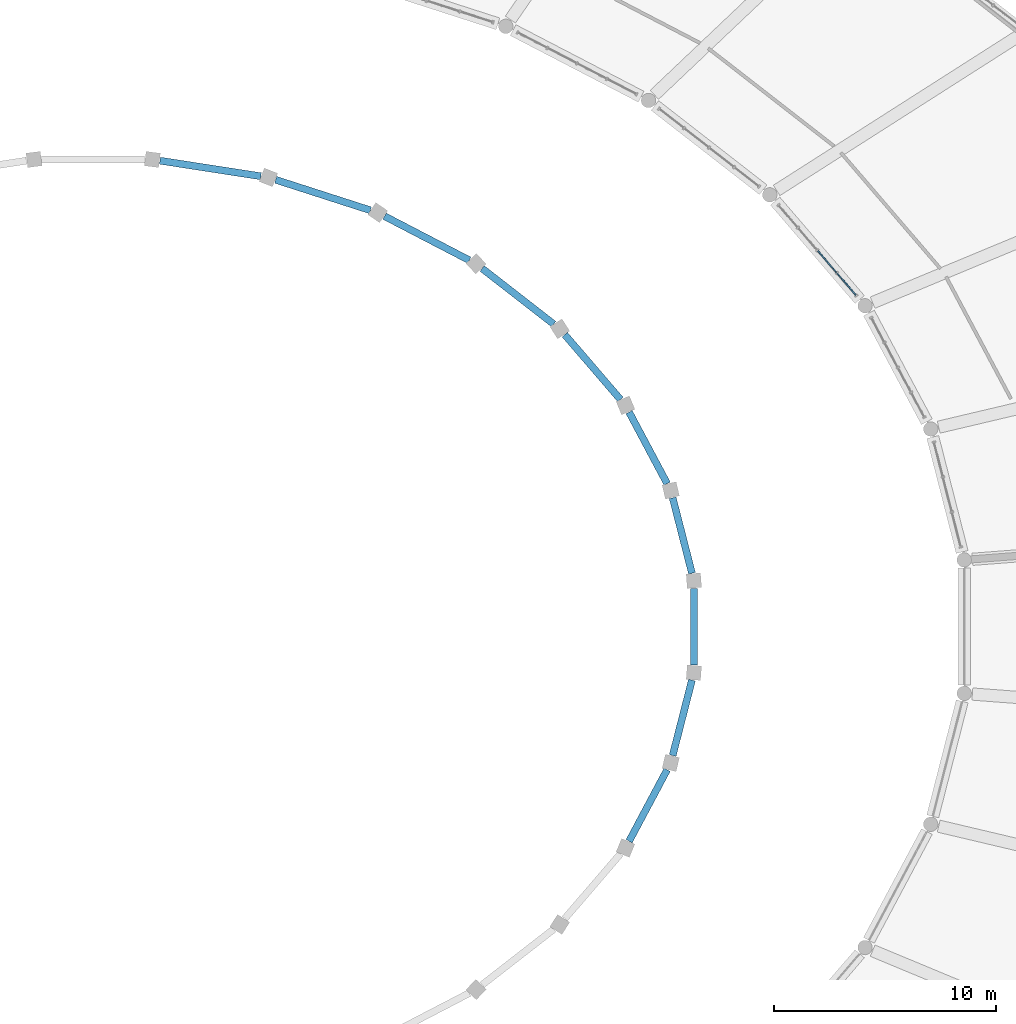
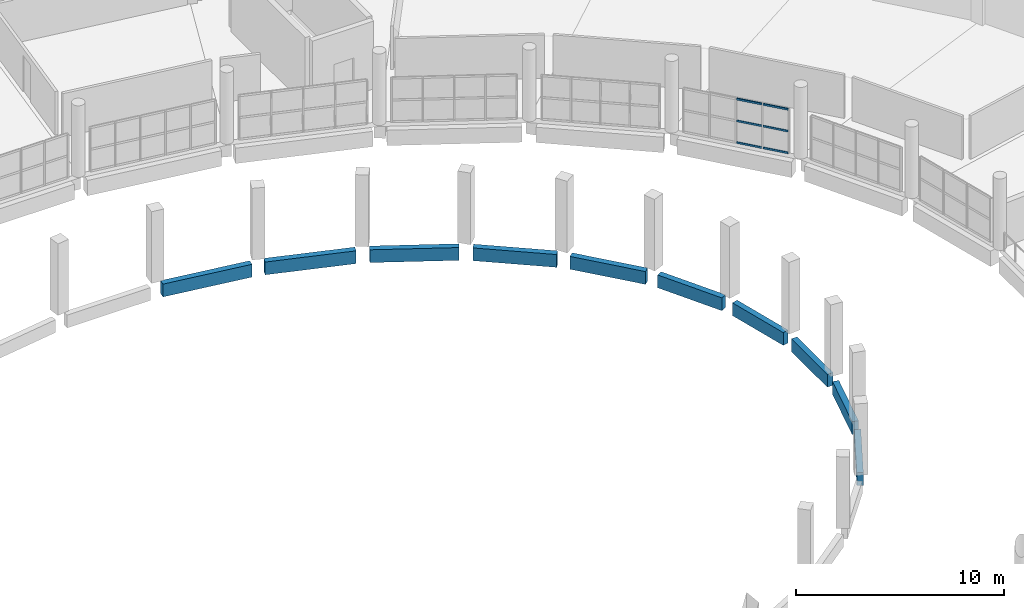
# One storey, part 20 of 142: 10 beams, 6 members, 1 element without a shape of its own.
"""IFC4 building model written with IfcOpenShell, lengths in metres."""

from ifc_helpers import new_model, si_unit, direction, frame, origin, origin_2d, place, context, subcontext, project, spatial, rectangle, extrude, material, layer, layer_set, material_profile, profile_set, type_object, element, aggregate, save


model = new_model("IFC4")

# Units and contexts
model_context = context("Model", 3, precision=1e-05, world=origin(), true_north=direction((0.0, 1.0)))
body_context = subcontext(model_context, "Body", "Model", "MODEL_VIEW")
ifc_project = project(units=[si_unit("LENGTHUNIT", "METRE"), si_unit("AREAUNIT", "SQUARE_METRE"), si_unit("VOLUMEUNIT", "CUBIC_METRE"), si_unit("PLANEANGLEUNIT", "RADIAN"), si_unit("MASSUNIT", "GRAM", prefix="KILO")], contexts=[model_context])

# Site, building, storey
site_placement = place(None, origin())
site = spatial("IfcSite", under=ifc_project, at=site_placement, CompositionType="ELEMENT")
building_placement = place(site_placement, origin())
building = spatial("IfcBuilding", under=site, at=building_placement, Name="Corvandel Quay Wholesale Market", CompositionType="ELEMENT")
storey_placement = place(building_placement, frame((0.0, 0.0, 10.800048828125)))
storey = spatial("IfcBuildingStorey", under=building, at=storey_placement, Name="L02", CompositionType="ELEMENT", Elevation=10.800048828125)

# Curtain wall, members
ifc_material_1 = material(Name="Bronze anodised aluminium and low-E insulated glazing", Category="aluminium")
ifc_layer = layer(ifc_material_1, 0.197998046875)
ifc_layer_set = layer_set([ifc_layer], Name="Bronze anodised aluminium and low-E insulated glazing")
curtain_wall_type = type_object("IfcCurtainWallType", Name="Stick Curtain Wall System CW24 H5160", PredefinedType="NOTDEFINED", material=ifc_layer_set)
curtain_wall_placement = place(storey_placement, origin())
curtain_wall = element("IfcCurtainWall", 1, at=curtain_wall_placement, inside=storey, type_object=curtain_wall_type, Name="Curtain Wall CW-0008", PredefinedType="NOTDEFINED")
ifc_material_2 = material(Name="Anodised aluminium 6063-T6", Category="aluminium")
ifc_material_profile_1 = material_profile(ifc_material_2, rectangle(XDim=0.06005859375, YDim=0.110107421875, at=origin_2d()), Name="ALU-TRN-60x110")
ifc_profile_set_1 = profile_set([ifc_material_profile_1], Name="Anodised aluminium 6063-T6")
member_type = type_object("IfcMemberType", Name="Curtain Wall Transom TR02 60x110", PredefinedType="USERDEFINED", material=ifc_profile_set_1)
member_1_placement = place(storey_placement, frame((148.281982421875, 56.90283203125, 0.0), z_axis=(-0.651624309471, 0.758541863911, 0.0), x_axis=(-0.758541863911, -0.651624309471, 0.0)))
member_1 = element("IfcMember", 2, at=member_1_placement, type_object=member_type, Name="Transom CW-0008-T00-0", ObjectType="TRANSOM", PredefinedType="USERDEFINED", context=body_context, shape_type="SweptSolid", body=[
    extrude(rectangle(XDim=0.06005859375, YDim=0.110107421875, at=origin_2d()), origin(), (0.0, 0.0, 1.0), 1.27880859375),
])
member_2_placement = place(storey_placement, frame((148.281982421875, 56.90283203125, 1.27490234375), z_axis=(-0.651624309471, 0.758541863911, 0.0), x_axis=(-0.758541863911, -0.651624309471, 0.0)))
member_2 = element("IfcMember", 3, at=member_2_placement, type_object=member_type, Name="Transom CW-0008-T00-1", ObjectType="TRANSOM", PredefinedType="USERDEFINED", context=body_context, shape_type="SweptSolid", body=[
    extrude(rectangle(XDim=0.06005859375, YDim=0.110107421875, at=origin_2d()), origin(), (0.0, 0.0, 1.0), 1.27880859375),
])
member_3_placement = place(storey_placement, frame((148.281982421875, 56.90283203125, 2.550048828125), z_axis=(-0.651624309471, 0.758541863911, 0.0), x_axis=(-0.758541863911, -0.651624309471, 0.0)))
member_3 = element("IfcMember", 4, at=member_3_placement, type_object=member_type, Name="Transom CW-0008-T00-2", ObjectType="TRANSOM", PredefinedType="USERDEFINED", context=body_context, shape_type="SweptSolid", body=[
    extrude(rectangle(XDim=0.06005859375, YDim=0.110107421875, at=origin_2d()), origin(), (0.0, 0.0, 1.0), 1.27880859375),
])
member_4_placement = place(storey_placement, frame((147.406494140625, 57.922119140625, 0.0), z_axis=(-0.651529947256, 0.758622915439, 0.0), x_axis=(-0.758622915439, -0.651529947256, 0.0)))
member_4 = element("IfcMember", 5, at=member_4_placement, type_object=member_type, Name="Transom CW-0008-T01-0", ObjectType="TRANSOM", PredefinedType="USERDEFINED", context=body_context, shape_type="SweptSolid", body=[
    extrude(rectangle(XDim=0.06005859375, YDim=0.110107421875, at=origin_2d()), origin(), (0.0, 0.0, 1.0), 1.27880859375),
])
member_5_placement = place(storey_placement, frame((147.406494140625, 57.922119140625, 1.27490234375), z_axis=(-0.651529947256, 0.758622915439, 0.0), x_axis=(-0.758622915439, -0.651529947256, 0.0)))
member_5 = element("IfcMember", 6, at=member_5_placement, type_object=member_type, Name="Transom CW-0008-T01-1", ObjectType="TRANSOM", PredefinedType="USERDEFINED", context=body_context, shape_type="SweptSolid", body=[
    extrude(rectangle(XDim=0.06005859375, YDim=0.110107421875, at=origin_2d()), origin(), (0.0, 0.0, 1.0), 1.27880859375),
])
member_6_placement = place(storey_placement, frame((147.406494140625, 57.922119140625, 2.550048828125), z_axis=(-0.651529947256, 0.758622915439, 0.0), x_axis=(-0.758622915439, -0.651529947256, 0.0)))
member_6 = element("IfcMember", 7, at=member_6_placement, type_object=member_type, Name="Transom CW-0008-T01-2", ObjectType="TRANSOM", PredefinedType="USERDEFINED", context=body_context, shape_type="SweptSolid", body=[
    extrude(rectangle(XDim=0.06005859375, YDim=0.110107421875, at=origin_2d()), origin(), (0.0, 0.0, 1.0), 1.27880859375),
])
aggregate(curtain_wall, [member_1, member_2, member_3, member_4, member_5, member_6])

# Beams
ifc_material_3 = material(Name="Precast concrete C45/55", Category="concrete")
ifc_material_profile_2 = material_profile(ifc_material_3, rectangle(XDim=0.320068359375, YDim=0.75, at=origin_2d()), Name="PC-SPN-320x750")
ifc_profile_set_2 = profile_set([ifc_material_profile_2], Name="Precast concrete C45/55")
beam_type = type_object("IfcBeamType", Name="Pavilion Precast Spandrel SP02 320x750", PredefinedType="SPANDREL", material=ifc_profile_set_2)
beam_1_placement = place(storey_placement, frame((140.91455078125, 44.402099609375, -0.695068359375), z_axis=(-0.247853055585, 0.968797637712, 0.0), x_axis=(-0.968797637712, -0.247853055585, 0.0)))
element("IfcBeam", 8, at=beam_1_placement, inside=storey, type_object=beam_type, Name="Beam BM-0009", PredefinedType="SPANDREL", context=body_context, shape_type="SweptSolid", body=[
    extrude(rectangle(XDim=0.320068359375, YDim=0.75, at=origin_2d()), origin(), (0.0, 0.0, 1.0), 3.497802734375),
])
beam_2_placement = place(storey_placement, frame((139.7998046875, 48.429443359375, -0.695068359375), z_axis=(-0.469951075092, 0.882692464576, 0.0), x_axis=(-0.882692464576, -0.469951075092, 0.0)))
element("IfcBeam", 9, at=beam_2_placement, inside=storey, type_object=beam_type, Name="Beam BM-0022", PredefinedType="SPANDREL", context=body_context, shape_type="SweptSolid", body=[
    extrude(rectangle(XDim=0.320068359375, YDim=0.75, at=origin_2d()), origin(), (0.0, 0.0, 1.0), 3.64013671875),
])
beam_3_placement = place(storey_placement, frame((137.7021484375, 52.208740234375, -0.695068359375), z_axis=(-0.651617210096, 0.758547962562, 0.0), x_axis=(-0.758547962562, -0.651617210096, 0.0)))
element("IfcBeam", 10, at=beam_3_placement, inside=storey, type_object=beam_type, Name="Beam BM-0035", PredefinedType="SPANDREL", context=body_context, shape_type="SweptSolid", body=[
    extrude(rectangle(XDim=0.320068359375, YDim=0.75, at=origin_2d()), origin(), (0.0, 0.0, 1.0), 3.844970703125),
])
beam_4_placement = place(storey_placement, frame((134.69970703125, 55.598876953125, -0.695068359375), z_axis=(-0.789394159963, 0.61388668353, 0.0), x_axis=(-0.61388668353, -0.789394159963, 0.0)))
element("IfcBeam", 11, at=beam_4_placement, inside=storey, type_object=beam_type, Name="Beam BM-0048", PredefinedType="SPANDREL", context=body_context, shape_type="SweptSolid", body=[
    extrude(rectangle(XDim=0.320068359375, YDim=0.75, at=origin_2d()), origin(), (0.0, 0.0, 1.0), 4.074462890625),
])
beam_5_placement = place(storey_placement, frame((130.90478515625, 58.47119140625, -0.695068359375), z_axis=(-0.887335015859, 0.461125329634, 0.0), x_axis=(-0.461125329634, -0.887335015859, 0.0)))
element("IfcBeam", 12, at=beam_5_placement, inside=storey, type_object=beam_type, Name="Beam BM-0061", PredefinedType="SPANDREL", context=body_context, shape_type="SweptSolid", body=[
    extrude(rectangle(XDim=0.320068359375, YDim=0.75, at=origin_2d()), origin(), (0.0, 0.0, 1.0), 4.293212890625),
])
beam_6_placement = place(storey_placement, frame((126.460693359375, 60.7158203125, -0.695068359375), z_axis=(-0.951818159788, 0.306662992057, 0.0), x_axis=(-0.306662992057, -0.951818159788, 0.0)))
element("IfcBeam", 13, at=beam_6_placement, inside=storey, type_object=beam_type, Name="Beam BM-0073", PredefinedType="SPANDREL", context=body_context, shape_type="SweptSolid", body=[
    extrude(rectangle(XDim=0.320068359375, YDim=0.75, at=origin_2d()), origin(), (0.0, 0.0, 1.0), 4.471923828125),
])
beam_7_placement = place(storey_placement, frame((121.53515625, 62.24560546875, -0.695068359375), z_axis=(-0.988242185176, 0.152896642991, 0.0), x_axis=(-0.152896642991, -0.988242185176, 0.0)))
element("IfcBeam", 14, at=beam_7_placement, inside=storey, type_object=beam_type, Name="Beam BM-0086", PredefinedType="SPANDREL", context=body_context, shape_type="SweptSolid", body=[
    extrude(rectangle(XDim=0.320068359375, YDim=0.75, at=origin_2d()), origin(), (0.0, 0.0, 1.0), 4.589111328125),
])
beam_8_placement = place(storey_placement, frame((138.089111328125, 32.357421875, -0.695068359375), z_axis=(0.469951075092, 0.882692464576, 0.0), x_axis=(-0.882692464576, 0.469951075092, 0.0)))
element("IfcBeam", 15, at=beam_8_placement, inside=storey, type_object=beam_type, Name="Beam BM-0365", PredefinedType="SPANDREL", context=body_context, shape_type="SweptSolid", body=[
    extrude(rectangle(XDim=0.320068359375, YDim=0.75, at=origin_2d()), origin(), (0.0, 0.0, 1.0), 3.64013671875),
])
beam_9_placement = place(storey_placement, frame((140.047607421875, 36.209228515625, -0.695068359375), z_axis=(0.247853055585, 0.968797637712, 0.0), x_axis=(-0.968797637712, 0.247853055585, 0.0)))
element("IfcBeam", 16, at=beam_9_placement, inside=storey, type_object=beam_type, Name="Beam BM-0377", PredefinedType="SPANDREL", context=body_context, shape_type="SweptSolid", body=[
    extrude(rectangle(XDim=0.320068359375, YDim=0.75, at=origin_2d()), origin(), (0.0, 0.0, 1.0), 3.497802734375),
])
beam_10_placement = place(storey_placement, frame((141.0, 40.277099609375, -0.695068359375), z_axis=(0.0, 1.0, 0.0), x_axis=(-1.0, 0.0, 0.0)))
element("IfcBeam", 17, at=beam_10_placement, inside=storey, type_object=beam_type, Name="Beam BM-0389", PredefinedType="SPANDREL", context=body_context, shape_type="SweptSolid", body=[
    extrude(rectangle(XDim=0.320068359375, YDim=0.75, at=origin_2d()), origin(), (0.0, 0.0, 1.0), 3.44580078125),
])

save(model, "model.ifc")
